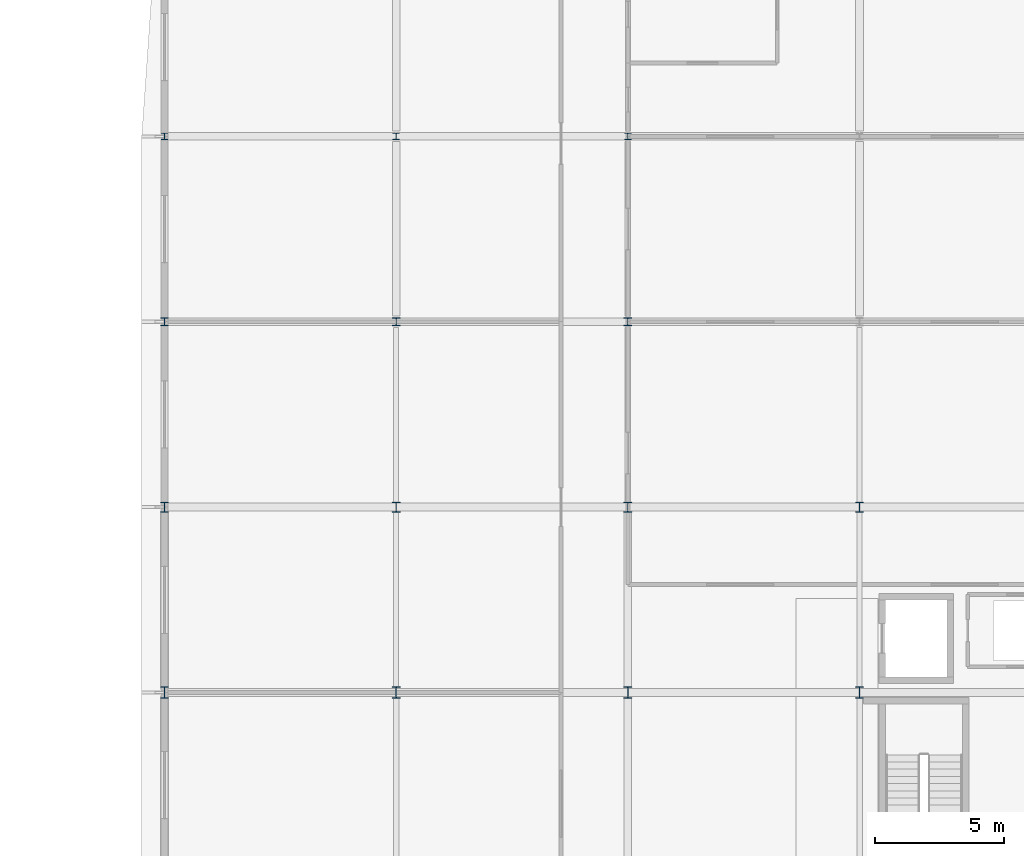
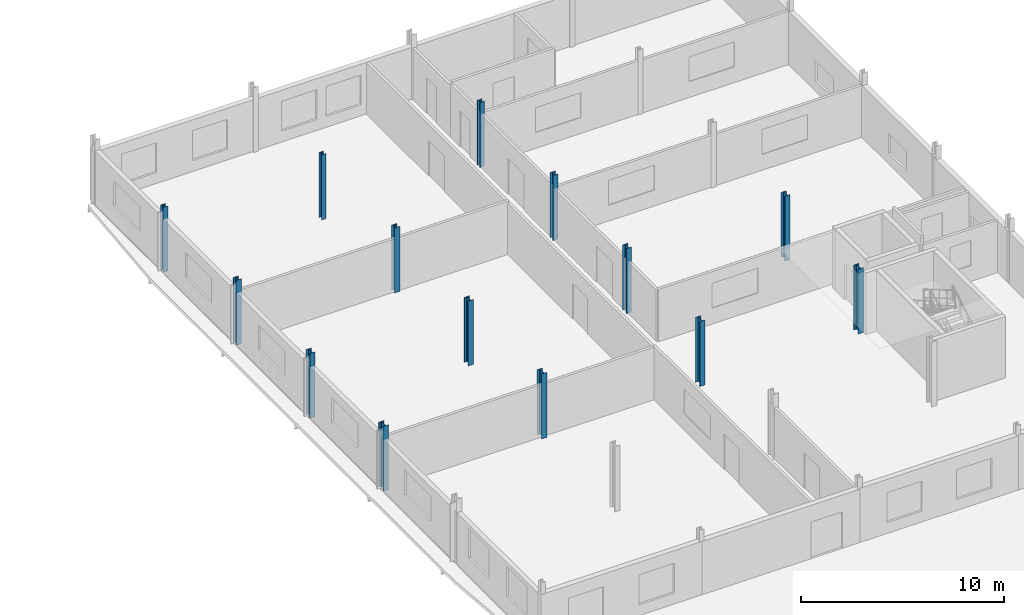
# One storey, part 16 of 78: 14 columns.
"""IFC4 building model written with IfcOpenShell, lengths in metres."""

from ifc_helpers import new_model, si_unit, direction, frame, origin, origin_2d, place, context, subcontext, project, spatial, i_section, extrude, material, material_profile, profile_set, type_object, element, save


model = new_model("IFC4")

# Units and contexts
model_context = context("Model", 3, precision=1e-05, world=origin(), true_north=direction((0.0, 1.0)))
body_context = subcontext(model_context, "Body", "Model", "MODEL_VIEW")
ifc_project = project(units=[si_unit("LENGTHUNIT", "METRE"), si_unit("AREAUNIT", "SQUARE_METRE"), si_unit("VOLUMEUNIT", "CUBIC_METRE"), si_unit("PLANEANGLEUNIT", "RADIAN"), si_unit("MASSUNIT", "GRAM", prefix="KILO")], contexts=[model_context])

# Site, building, storey
site_placement = place(None, origin())
site = spatial("IfcSite", under=ifc_project, at=site_placement, CompositionType="ELEMENT")
building_placement = place(site_placement, origin())
building = spatial("IfcBuilding", under=site, at=building_placement, Name="Vinh Khe Railworks Police Headquarters", CompositionType="ELEMENT")
storey_placement = place(building_placement, frame((0.0, 0.0, 13.199951171875)))
storey = spatial("IfcBuildingStorey", under=building, at=storey_placement, Name="L03", CompositionType="ELEMENT", Elevation=13.199951171875)

# Columns
ifc_material = material(Name="Steel S355JR", Category="steel")
ifc_material_profile_1 = material_profile(ifc_material, i_section(OverallWidth=0.300048828125, OverallDepth=0.389892578125, WebThickness=0.010986328125, FlangeThickness=0.01904296875, FilletRadius=0.027099609375, at=origin_2d()), Name="HEA 400")
ifc_profile_set_1 = profile_set([ifc_material_profile_1], Name="Steel S355JR")
column_type_1 = type_object("IfcColumnType", Name="Steel Column HEA 400", PredefinedType="COLUMN", material=ifc_profile_set_1)
for number, where, z_axis, x_axis, name in (
    (1, (78.0, 145.199951171875, 0.0), (0.0, 0.0, 1.0), (1.0, 0.0, 0.0), "Column COL-L03-SC-15-1188"),
    (2, (87.0, 145.199951171875, 0.0), (0.0, 0.0, 1.0), (1.0, 0.0, 0.0), "Column COL-L03-SC-15-1249"),
    (3, (96.0, 145.199951171875, 0.0), (0.0, 0.0, 1.0), (1.0, 0.0, 0.0), "Column COL-L03-SC-15-1310"),
    (4, (105.0, 145.199951171875, 0.0), (0.0, 0.0, 1.0), (1.0, 0.0, 0.0), "Column COL-L03-SC-15-1371"),
):
    element("IfcColumn", number, at=place(storey_placement, frame(where, z_axis=z_axis, x_axis=x_axis)), inside=storey, type_object=column_type_1, Name=name, PredefinedType="COLUMN", context=body_context, shape_type="SweptSolid", body=[
        extrude(i_section(OverallWidth=0.300048828125, OverallDepth=0.389892578125, WebThickness=0.010986328125, FlangeThickness=0.01904296875, FilletRadius=0.027099609375, at=origin_2d()), origin(), (0.0, 0.0, 1.0), 3.900146484375),
    ])
ifc_material_profile_2 = material_profile(ifc_material, i_section(OverallWidth=0.300048828125, OverallDepth=0.43994140625, WebThickness=0.011474609375, FlangeThickness=0.02099609375, FilletRadius=0.027099609375, at=origin_2d()), Name="HEA 450")
ifc_profile_set_2 = profile_set([ifc_material_profile_2], Name="Steel S355JR")
column_type_2 = type_object("IfcColumnType", Name="Steel Column HEA 450", PredefinedType="COLUMN", material=ifc_profile_set_2)
for number, where, z_axis, x_axis, name in (
    (5, (78.0, 138.0, 0.0), (0.0, 0.0, 1.0), (1.0, 0.0, 0.0), "Column COL-L03-SC-14-1181"),
    (6, (87.0, 138.0, 0.0), (0.0, 0.0, 1.0), (1.0, 0.0, 0.0), "Column COL-L03-SC-14-1242"),
    (7, (96.0, 138.0, 0.0), (0.0, 0.0, 1.0), (1.0, 0.0, 0.0), "Column COL-L03-SC-14-1303"),
    (8, (105.0, 138.0, 0.0), (0.0, 0.0, 1.0), (1.0, 0.0, 0.0), "Column COL-L03-SC-14-1364"),
):
    element("IfcColumn", number, at=place(storey_placement, frame(where, z_axis=z_axis, x_axis=x_axis)), inside=storey, type_object=column_type_2, Name=name, PredefinedType="COLUMN", context=body_context, shape_type="SweptSolid", body=[
        extrude(i_section(OverallWidth=0.300048828125, OverallDepth=0.43994140625, WebThickness=0.011474609375, FlangeThickness=0.02099609375, FilletRadius=0.027099609375, at=origin_2d()), origin(), (0.0, 0.0, 1.0), 3.900146484375),
    ])
ifc_material_profile_3 = material_profile(ifc_material, i_section(OverallWidth=0.260009765625, OverallDepth=0.260009765625, WebThickness=0.010009765625, FlangeThickness=0.017578125, FilletRadius=0.02392578125, at=origin_2d()), Name="HEB 260")
ifc_profile_set_3 = profile_set([ifc_material_profile_3], Name="Steel S355JR")
column_type_3 = type_object("IfcColumnType", Name="Steel Column HEB 260", PredefinedType="COLUMN", material=ifc_profile_set_3)
for number, where, z_axis, x_axis, name in (
    (9, (78.0, 159.60009765625, 0.0), (0.0, 0.0, 1.0), (1.0, 0.0, 0.0), "Column COL-L03-SC-12-1202"),
    (10, (87.0, 159.60009765625, 0.0), (0.0, 0.0, 1.0), (1.0, 0.0, 0.0), "Column COL-L03-SC-12-1263"),
    (11, (96.0, 159.60009765625, 0.0), (0.0, 0.0, 1.0), (1.0, 0.0, 0.0), "Column COL-L03-SC-12-1324"),
):
    element("IfcColumn", number, at=place(storey_placement, frame(where, z_axis=z_axis, x_axis=x_axis)), inside=storey, type_object=column_type_3, Name=name, PredefinedType="COLUMN", context=body_context, shape_type="SweptSolid", body=[
        extrude(i_section(OverallWidth=0.260009765625, OverallDepth=0.260009765625, WebThickness=0.010009765625, FlangeThickness=0.017578125, FilletRadius=0.02392578125, at=origin_2d()), origin(), (0.0, 0.0, 1.0), 3.900146484375),
    ])
ifc_material_profile_4 = material_profile(ifc_material, i_section(OverallWidth=0.300048828125, OverallDepth=0.300048828125, WebThickness=0.010986328125, FlangeThickness=0.01904296875, FilletRadius=0.027099609375, at=origin_2d()), Name="HEB 300")
ifc_profile_set_4 = profile_set([ifc_material_profile_4], Name="Steel S355JR")
column_type_4 = type_object("IfcColumnType", Name="Steel Column HEB 300", PredefinedType="COLUMN", material=ifc_profile_set_4)
for number, where, z_axis, x_axis, name in (
    (12, (78.0, 152.39990234375, 0.0), (0.0, 0.0, 1.0), (1.0, 0.0, 0.0), "Column COL-L03-SC-11-1195"),
    (13, (87.0, 152.39990234375, 0.0), (0.0, 0.0, 1.0), (1.0, 0.0, 0.0), "Column COL-L03-SC-11-1256"),
    (14, (96.0, 152.39990234375, 0.0), (0.0, 0.0, 1.0), (1.0, 0.0, 0.0), "Column COL-L03-SC-11-1317"),
):
    element("IfcColumn", number, at=place(storey_placement, frame(where, z_axis=z_axis, x_axis=x_axis)), inside=storey, type_object=column_type_4, Name=name, PredefinedType="COLUMN", context=body_context, shape_type="SweptSolid", body=[
        extrude(i_section(OverallWidth=0.300048828125, OverallDepth=0.300048828125, WebThickness=0.010986328125, FlangeThickness=0.01904296875, FilletRadius=0.027099609375, at=origin_2d()), origin(), (0.0, 0.0, 1.0), 3.900146484375),
    ])

save(model, "model.ifc")
